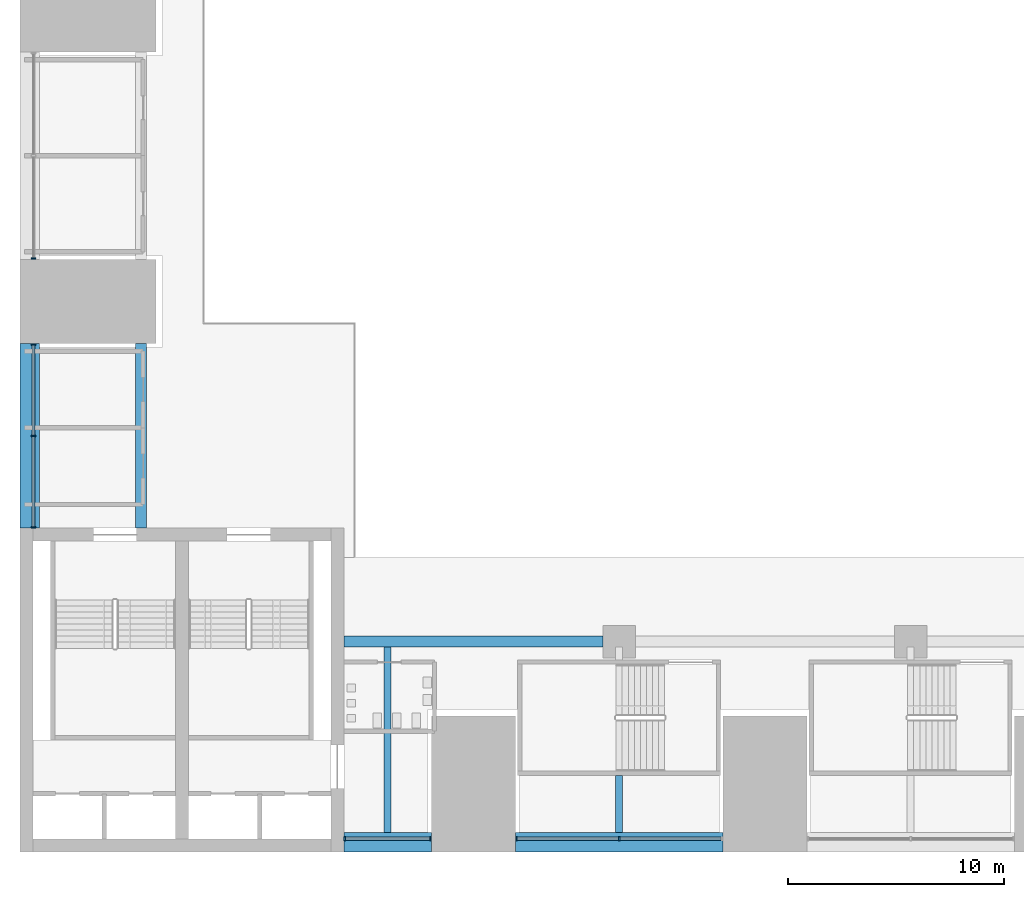
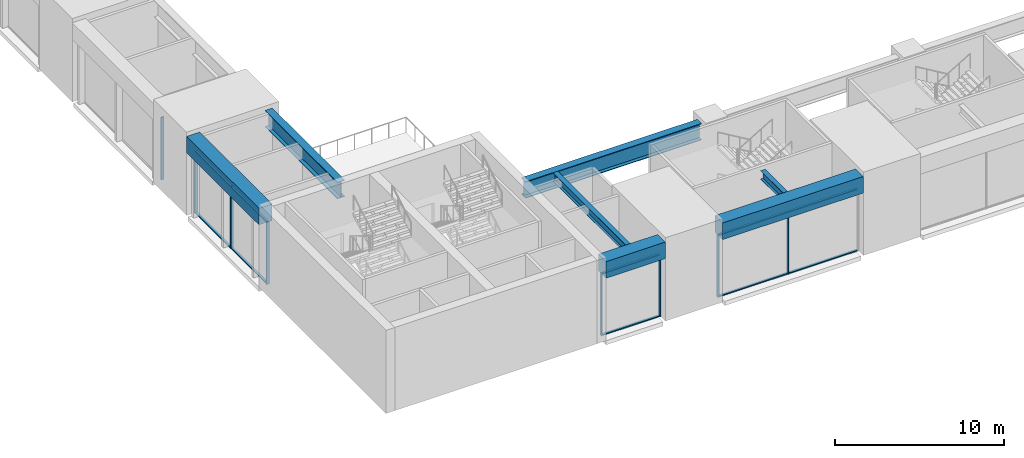
# One storey, part 2 of 41: 18 members, 7 beams, 4 elements without a shape of their own.
"""IFC4 building model written with IfcOpenShell, lengths in metres."""

from ifc_helpers import new_model, si_unit, direction, frame, origin, origin_2d, place, context, subcontext, project, spatial, rectangle, i_section, extrude, material, layer, layer_set, material_profile, profile_set, type_object, element, aggregate, save


model = new_model("IFC4")

# Units and contexts
model_context = context("Model", 3, precision=1e-05, world=origin(), true_north=direction((0.0, 1.0)))
body_context = subcontext(model_context, "Body", "Model", "MODEL_VIEW")
ifc_project = project(units=[si_unit("LENGTHUNIT", "METRE"), si_unit("AREAUNIT", "SQUARE_METRE"), si_unit("VOLUMEUNIT", "CUBIC_METRE"), si_unit("PLANEANGLEUNIT", "RADIAN"), si_unit("MASSUNIT", "GRAM", prefix="KILO")], contexts=[model_context])

# Site, building, storey
site_placement = place(None, origin())
site = spatial("IfcSite", under=ifc_project, at=site_placement, CompositionType="ELEMENT")
building_placement = place(site_placement, origin())
building = spatial("IfcBuilding", under=site, at=building_placement, Name="Corbelhall Arena Tower", CompositionType="ELEMENT")
storey_placement = place(building_placement, frame((0.0, 0.0, 19.0)))
storey = spatial("IfcBuildingStorey", under=building, at=storey_placement, Name="L02", CompositionType="ELEMENT", Elevation=19.0)

# Curtain wall, members
ifc_material_1 = material(Name="Aluminium black anodised", Category="aluminium")
ifc_layer = layer(ifc_material_1, 0.239990234375)
ifc_layer_set = layer_set([ifc_layer], Name="EV-CW4 Arena concourse glazing")
curtain_wall_type = type_object("IfcCurtainWallType", Name="EV-CW4 Arena concourse glazing", PredefinedType="NOTDEFINED", material=ifc_layer_set)
curtain_wall_1_placement = place(storey_placement, origin())
curtain_wall_1 = element("IfcCurtainWall", 1, at=curtain_wall_1_placement, inside=storey, type_object=curtain_wall_type, Name="Curtain wall CW4A", PredefinedType="NOTDEFINED")
ifc_material_profile_1 = material_profile(ifc_material_1, rectangle(XDim=0.199951171875, YDim=0.074951171875, at=origin_2d()))
ifc_profile_set_1 = profile_set([ifc_material_profile_1], Name="Aluminium black anodised")
member_type_1 = type_object("IfcMemberType", Name="EV-CW4-MULLION", PredefinedType="MULLION", material=ifc_profile_set_1)
member_1_placement = place(storey_placement, frame((-32.96240234375, -38.3798828125, 0.0), z_axis=(0.0, 0.0, 1.0), x_axis=(0.0, 1.0, 0.0)))
member_1 = element("IfcMember", 2, at=member_1_placement, type_object=member_type_1, Name="CW4A mullion 1", PredefinedType="MULLION", context=body_context, shape_type="SweptSolid", body=[
    extrude(rectangle(XDim=0.199951171875, YDim=0.074951171875, at=origin_2d()), origin(), (0.0, 0.0, 1.0), 4.5),
])
member_2_placement = place(storey_placement, frame((-28.987548828125, -38.3798828125, 0.0), z_axis=(0.0, 0.0, 1.0), x_axis=(0.0, 1.0, 0.0)))
member_2 = element("IfcMember", 3, at=member_2_placement, type_object=member_type_1, Name="CW4A mullion 2", PredefinedType="MULLION", context=body_context, shape_type="SweptSolid", body=[
    extrude(rectangle(XDim=0.199951171875, YDim=0.074951171875, at=origin_2d()), origin(), (0.0, 0.0, 1.0), 4.5),
])

curtain_wall_2_placement = place(storey_placement, origin())
curtain_wall_2 = element("IfcCurtainWall", 4, at=curtain_wall_2_placement, inside=storey, type_object=curtain_wall_type, Name="Curtain wall CW4", PredefinedType="NOTDEFINED")
member_3_placement = place(storey_placement, frame((-25.012451171875, -38.3798828125, 0.0), z_axis=(0.0, 0.0, 1.0), x_axis=(0.0, 1.0, 0.0)))
member_3 = element("IfcMember", 5, at=member_3_placement, type_object=member_type_1, Name="CW4 mullion 1", PredefinedType="MULLION", context=body_context, shape_type="SweptSolid", body=[
    extrude(rectangle(XDim=0.199951171875, YDim=0.074951171875, at=origin_2d()), origin(), (0.0, 0.0, 1.0), 4.5),
])
member_4_placement = place(storey_placement, frame((-20.25, -38.3798828125, 0.0), z_axis=(0.0, 0.0, 1.0), x_axis=(0.0, 1.0, 0.0)))
member_4 = element("IfcMember", 6, at=member_4_placement, type_object=member_type_1, Name="CW4 mullion 2", PredefinedType="MULLION", context=body_context, shape_type="SweptSolid", body=[
    extrude(rectangle(XDim=0.199951171875, YDim=0.074951171875, at=origin_2d()), origin(), (0.0, 0.0, 1.0), 4.5),
])

# Curtain wall, member
curtain_wall_3_placement = place(storey_placement, origin())
curtain_wall_3 = element("IfcCurtainWall", 7, at=curtain_wall_3_placement, inside=storey, type_object=curtain_wall_type, Name="Curtain wall CW4", PredefinedType="NOTDEFINED")
member_5_placement = place(storey_placement, frame((-47.3798828125, -11.512451171875, 0.0), z_axis=(0.0, 0.0, 1.0), x_axis=(1.0, 0.0, 0.0)))
member_5 = element("IfcMember", 8, at=member_5_placement, type_object=member_type_1, Name="CW4 mullion 3", PredefinedType="MULLION", context=body_context, shape_type="SweptSolid", body=[
    extrude(rectangle(XDim=0.199951171875, YDim=0.074951171875, at=origin_2d()), origin(), (0.0, 0.0, 1.0), 4.5),
])
aggregate(curtain_wall_3, [member_5])

# Curtain wall, members
curtain_wall_4_placement = place(storey_placement, origin())
curtain_wall_4 = element("IfcCurtainWall", 9, at=curtain_wall_4_placement, inside=storey, type_object=curtain_wall_type, Name="Curtain wall CW4B", PredefinedType="NOTDEFINED")
member_6_placement = place(storey_placement, frame((-47.3798828125, -15.487548828125, 0.0), z_axis=(0.0, 0.0, 1.0), x_axis=(1.0, 0.0, 0.0)))
member_6 = element("IfcMember", 10, at=member_6_placement, type_object=member_type_1, Name="CW4B mullion 1", PredefinedType="MULLION", context=body_context, shape_type="SweptSolid", body=[
    extrude(rectangle(XDim=0.199951171875, YDim=0.074951171875, at=origin_2d()), origin(), (0.0, 0.0, 1.0), 4.5),
])
member_7_placement = place(storey_placement, frame((-47.3798828125, -19.72509765625, 0.0), z_axis=(0.0, 0.0, 1.0), x_axis=(1.0, 0.0, 0.0)))
member_7 = element("IfcMember", 11, at=member_7_placement, type_object=member_type_1, Name="CW4B mullion 2", PredefinedType="MULLION", context=body_context, shape_type="SweptSolid", body=[
    extrude(rectangle(XDim=0.199951171875, YDim=0.074951171875, at=origin_2d()), origin(), (0.0, 0.0, 1.0), 4.5),
])
member_8_placement = place(storey_placement, frame((-47.3798828125, -23.96240234375, 0.0), z_axis=(0.0, 0.0, 1.0), x_axis=(1.0, 0.0, 0.0)))
member_8 = element("IfcMember", 12, at=member_8_placement, type_object=member_type_1, Name="CW4B mullion 3", PredefinedType="MULLION", context=body_context, shape_type="SweptSolid", body=[
    extrude(rectangle(XDim=0.199951171875, YDim=0.074951171875, at=origin_2d()), origin(), (0.0, 0.0, 1.0), 4.5),
])

# Member
ifc_material_profile_2 = material_profile(ifc_material_1, rectangle(XDim=0.14990234375, YDim=0.074951171875, at=origin_2d()))
ifc_profile_set_2 = profile_set([ifc_material_profile_2], Name="Aluminium black anodised")
member_type_2 = type_object("IfcMemberType", Name="EV-CW4-TRANSOM", PredefinedType="USERDEFINED", material=ifc_profile_set_2)
member_9_placement = place(storey_placement, frame((-32.925048828125, -38.3798828125, 0.03759765625), z_axis=(1.0, 0.0, 0.0), x_axis=(0.0, 1.0, 0.0)))
member_9 = element("IfcMember", 13, at=member_9_placement, type_object=member_type_2, Name="CW4A transom 1.1", ObjectType="transom", PredefinedType="USERDEFINED", context=body_context, shape_type="SweptSolid", body=[
    extrude(rectangle(XDim=0.14990234375, YDim=0.074951171875, at=origin_2d()), origin(), (0.0, 0.0, 1.0), 3.900146484375),
])

member_10_placement = place(storey_placement, frame((-32.925048828125, -38.3798828125, 4.46240234375), z_axis=(1.0, 0.0, 0.0), x_axis=(0.0, 1.0, 0.0)))
member_10 = element("IfcMember", 14, at=member_10_placement, type_object=member_type_2, Name="CW4A transom 1.2", ObjectType="transom", PredefinedType="USERDEFINED", context=body_context, shape_type="SweptSolid", body=[
    extrude(rectangle(XDim=0.14990234375, YDim=0.074951171875, at=origin_2d()), origin(), (0.0, 0.0, 1.0), 3.900146484375),
])

aggregate(curtain_wall_1, [member_1, member_2, member_9, member_10])

member_11_placement = place(storey_placement, frame((-24.97509765625, -38.3798828125, 0.03759765625), z_axis=(1.0, 0.0, 0.0), x_axis=(0.0, 1.0, 0.0)))
member_11 = element("IfcMember", 15, at=member_11_placement, type_object=member_type_2, Name="CW4 transom 1.1", ObjectType="transom", PredefinedType="USERDEFINED", context=body_context, shape_type="SweptSolid", body=[
    extrude(rectangle(XDim=0.14990234375, YDim=0.074951171875, at=origin_2d()), origin(), (0.0, 0.0, 1.0), 4.6875),
])

member_12_placement = place(storey_placement, frame((-24.97509765625, -38.3798828125, 4.46240234375), z_axis=(1.0, 0.0, 0.0), x_axis=(0.0, 1.0, 0.0)))
member_12 = element("IfcMember", 16, at=member_12_placement, type_object=member_type_2, Name="CW4 transom 1.2", ObjectType="transom", PredefinedType="USERDEFINED", context=body_context, shape_type="SweptSolid", body=[
    extrude(rectangle(XDim=0.14990234375, YDim=0.074951171875, at=origin_2d()), origin(), (0.0, 0.0, 1.0), 4.6875),
])

member_13_placement = place(storey_placement, frame((-20.21240234375, -38.3798828125, 0.03759765625), z_axis=(1.0, 0.0, 0.0), x_axis=(0.0, 1.0, 0.0)))
member_13 = element("IfcMember", 17, at=member_13_placement, type_object=member_type_2, Name="CW4 transom 2.1", ObjectType="transom", PredefinedType="USERDEFINED", context=body_context, shape_type="SweptSolid", body=[
    extrude(rectangle(XDim=0.14990234375, YDim=0.074951171875, at=origin_2d()), origin(), (0.0, 0.0, 1.0), 4.6875),
])

member_14_placement = place(storey_placement, frame((-20.21240234375, -38.3798828125, 4.46240234375), z_axis=(1.0, 0.0, 0.0), x_axis=(0.0, 1.0, 0.0)))
member_14 = element("IfcMember", 18, at=member_14_placement, type_object=member_type_2, Name="CW4 transom 2.2", ObjectType="transom", PredefinedType="USERDEFINED", context=body_context, shape_type="SweptSolid", body=[
    extrude(rectangle(XDim=0.14990234375, YDim=0.074951171875, at=origin_2d()), origin(), (0.0, 0.0, 1.0), 4.6875),
])

aggregate(curtain_wall_2, [member_3, member_4, member_11, member_12, member_13, member_14])

member_15_placement = place(storey_placement, frame((-47.3798828125, -15.52490234375, 0.03759765625), z_axis=(0.0, -1.0, 0.0), x_axis=(1.0, 0.0, 0.0)))
member_15 = element("IfcMember", 19, at=member_15_placement, type_object=member_type_2, Name="CW4B transom 1.1", ObjectType="transom", PredefinedType="USERDEFINED", context=body_context, shape_type="SweptSolid", body=[
    extrude(rectangle(XDim=0.14990234375, YDim=0.074951171875, at=origin_2d()), origin(), (0.0, 0.0, 1.0), 4.16259765625),
])

member_16_placement = place(storey_placement, frame((-47.3798828125, -15.52490234375, 4.46240234375), z_axis=(0.0, -1.0, 0.0), x_axis=(1.0, 0.0, 0.0)))
member_16 = element("IfcMember", 20, at=member_16_placement, type_object=member_type_2, Name="CW4B transom 1.2", ObjectType="transom", PredefinedType="USERDEFINED", context=body_context, shape_type="SweptSolid", body=[
    extrude(rectangle(XDim=0.14990234375, YDim=0.074951171875, at=origin_2d()), origin(), (0.0, 0.0, 1.0), 4.16259765625),
])

member_17_placement = place(storey_placement, frame((-47.3798828125, -19.762451171875, 0.03759765625), z_axis=(0.0, -1.0, 0.0), x_axis=(1.0, 0.0, 0.0)))
member_17 = element("IfcMember", 21, at=member_17_placement, type_object=member_type_2, Name="CW4B transom 2.1", ObjectType="transom", PredefinedType="USERDEFINED", context=body_context, shape_type="SweptSolid", body=[
    extrude(rectangle(XDim=0.14990234375, YDim=0.074951171875, at=origin_2d()), origin(), (0.0, 0.0, 1.0), 4.16259765625),
])

member_18_placement = place(storey_placement, frame((-47.3798828125, -19.762451171875, 4.46240234375), z_axis=(0.0, -1.0, 0.0), x_axis=(1.0, 0.0, 0.0)))
member_18 = element("IfcMember", 22, at=member_18_placement, type_object=member_type_2, Name="CW4B transom 2.2", ObjectType="transom", PredefinedType="USERDEFINED", context=body_context, shape_type="SweptSolid", body=[
    extrude(rectangle(XDim=0.14990234375, YDim=0.074951171875, at=origin_2d()), origin(), (0.0, 0.0, 1.0), 4.16259765625),
])

aggregate(curtain_wall_4, [member_6, member_7, member_8, member_15, member_16, member_17, member_18])

# Beams
ifc_material_2 = material(Name="Steel ASTM A992 Gr50", Category="steel")
ifc_material_profile_3 = material_profile(ifc_material_2, i_section(OverallWidth=0.323974609375, OverallDepth=0.611083984375, WebThickness=0.0126953125, FlangeThickness=0.01904296875, at=origin_2d()))
ifc_profile_set_3 = profile_set([ifc_material_profile_3], Name="Steel ASTM A992 Gr50")
beam_type_1 = type_object("IfcBeamType", Name="PO-BEAM-W24X104", PredefinedType="BEAM", material=ifc_profile_set_3)
beam_1_placement = place(storey_placement, frame((-30.97509765625, -29.5, 5.39453125), z_axis=(0.0, -1.0, 0.0), x_axis=(1.0, 0.0, 0.0)))
element("IfcBeam", 23, at=beam_1_placement, inside=storey, type_object=beam_type_1, Name="CONCOURSE BEAM", PredefinedType="BEAM", context=body_context, shape_type="SweptSolid", body=[
    extrude(i_section(OverallWidth=0.323974609375, OverallDepth=0.611083984375, WebThickness=0.0126953125, FlangeThickness=0.01904296875, at=origin_2d()), origin(), (0.0, 0.0, 1.0), 8.60009765625),
])
beam_2_placement = place(storey_placement, frame((-20.25, -35.449951171875, 5.39453125), z_axis=(0.0, -1.0, 0.0), x_axis=(1.0, 0.0, 0.0)))
element("IfcBeam", 24, at=beam_2_placement, inside=storey, type_object=beam_type_1, Name="CONCOURSE BEAM", PredefinedType="BEAM", context=body_context, shape_type="SweptSolid", body=[
    extrude(i_section(OverallWidth=0.323974609375, OverallDepth=0.611083984375, WebThickness=0.0126953125, FlangeThickness=0.01904296875, at=origin_2d()), origin(), (0.0, 0.0, 1.0), 2.650146484375),
])
ifc_material_3 = material(Name="Steel ASTM A572 Gr50", Category="steel")
ifc_material_profile_4 = material_profile(ifc_material_3, i_section(OverallWidth=0.5, OverallDepth=1.199951171875, WebThickness=0.02490234375, FlangeThickness=0.044921875, at=origin_2d()))
ifc_profile_set_4 = profile_set([ifc_material_profile_4], Name="Steel ASTM A572 Gr50")
beam_type_2 = type_object("IfcBeamType", Name="PO-GIRDER-PG1200X500X25X45", PredefinedType="BEAM", material=ifc_profile_set_4)
beam_3_placement = place(storey_placement, frame((-33.0, -29.25, 5.10009765625), z_axis=(1.0, 0.0, 0.0), x_axis=(0.0, 1.0, 0.0)))
element("IfcBeam", 25, at=beam_3_placement, inside=storey, type_object=beam_type_2, Name="RING GIRDER", PredefinedType="BEAM", context=body_context, shape_type="SweptSolid", body=[
    extrude(i_section(OverallWidth=0.5, OverallDepth=1.199951171875, WebThickness=0.02490234375, FlangeThickness=0.044921875, at=origin_2d()), origin(), (0.0, 0.0, 1.0), 12.0),
])
beam_4_placement = place(storey_placement, frame((-42.39990234375, -24.0, 5.10009765625), z_axis=(0.0, 1.0, 0.0), x_axis=(-1.0, 0.0, 0.0)))
element("IfcBeam", 26, at=beam_4_placement, inside=storey, type_object=beam_type_2, Name="INNER END GIRDER", PredefinedType="BEAM", context=body_context, shape_type="SweptSolid", body=[
    extrude(i_section(OverallWidth=0.5, OverallDepth=1.199951171875, WebThickness=0.02490234375, FlangeThickness=0.044921875, at=origin_2d()), origin(), (0.0, 0.0, 1.0), 8.550048828125),
])
ifc_material_4 = material(Name="Concrete C80/95", Category="concrete")
ifc_material_profile_5 = material_profile(ifc_material_4, rectangle(XDim=0.89990234375, YDim=1.199951171875, at=origin_2d()))
ifc_profile_set_5 = profile_set([ifc_material_profile_5], Name="Concrete C80/95")
beam_type_3 = type_object("IfcBeamType", Name="PO-RING-BEAM", PredefinedType="BEAM", material=ifc_profile_set_5)
beam_5_placement = place(storey_placement, frame((-33.0, -38.550048828125, 5.10009765625), z_axis=(1.0, 0.0, 0.0), x_axis=(0.0, 1.0, 0.0)))
element("IfcBeam", 27, at=beam_5_placement, inside=storey, type_object=beam_type_3, Name="RING GIRDER L03 S1", PredefinedType="BEAM", context=body_context, shape_type="SweptSolid", body=[
    extrude(rectangle(XDim=0.89990234375, YDim=1.199951171875, at=origin_2d()), origin(), (0.0, 0.0, 1.0), 4.050048828125),
])
beam_6_placement = place(storey_placement, frame((-25.050048828125, -38.550048828125, 5.10009765625), z_axis=(1.0, 0.0, 0.0), x_axis=(0.0, 1.0, 0.0)))
element("IfcBeam", 28, at=beam_6_placement, inside=storey, type_object=beam_type_3, Name="RING GIRDER L03 S2", PredefinedType="BEAM", context=body_context, shape_type="SweptSolid", body=[
    extrude(rectangle(XDim=0.89990234375, YDim=1.199951171875, at=origin_2d()), origin(), (0.0, 0.0, 1.0), 9.60009765625),
])
beam_7_placement = place(storey_placement, frame((-47.550048828125, -24.0, 5.10009765625), z_axis=(0.0, 1.0, 0.0), x_axis=(-1.0, 0.0, 0.0)))
element("IfcBeam", 29, at=beam_7_placement, inside=storey, type_object=beam_type_3, Name="RING GIRDER L03 W1", PredefinedType="BEAM", context=body_context, shape_type="SweptSolid", body=[
    extrude(rectangle(XDim=0.89990234375, YDim=1.199951171875, at=origin_2d()), origin(), (0.0, 0.0, 1.0), 8.550048828125),
])

save(model, "model.ifc")
